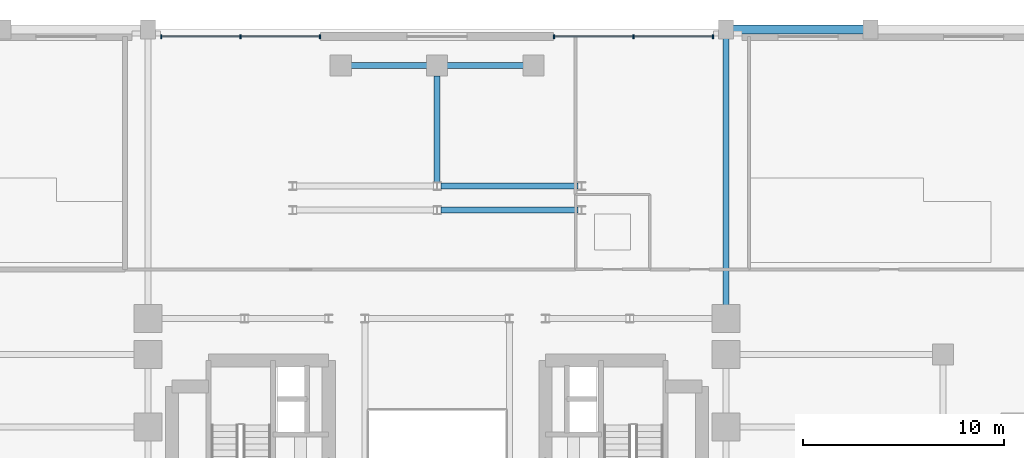
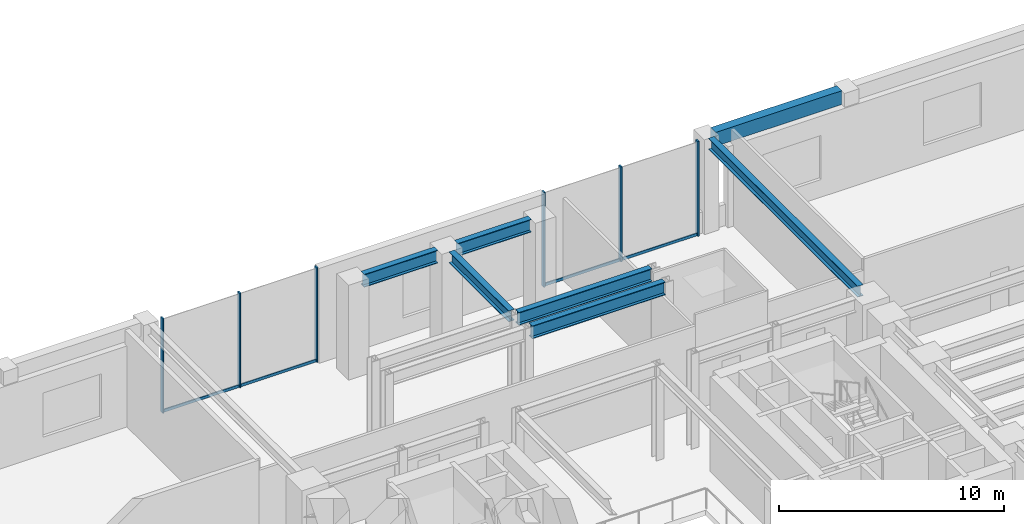
# One storey, part 8 of 16: 10 members, 7 beams, 2 elements without a shape of their own.
"""IFC4 building model written with IfcOpenShell, lengths in metres."""

import ifcopenshell
import ifcopenshell.guid

model = None  # the IFC model being written
_history = None  # IfcOwnerHistory: only IFC2X3 demands one
_inside = {}  # id of a spatial element -> (the spatial element, [elements in it])
_under = {}  # id of a project, library or spatial element -> (it, [spatial elements below it])
_declared = {}  # id of a project -> (the project, [libraries it declares])
_typed = {}  # id of a type object -> (the type object, [elements of that type])
_made_of = {}  # id of a material, layer set ... -> (it, [elements and type objects made of it])


def new_model(schema):
    """Start an empty IFC model of exactly this schema.

    Asked for "IFC4X3", IfcOpenShell would pick the latest addendum, in which some entities
    have other attributes; the version numbers below select the first issue.
    IFC2X3 requires an IfcOwnerHistory on every rooted entity: one is made here for all.
    """
    global model, _history
    if schema == "IFC4X3":
        model = ifcopenshell.file(schema_version=(4, 3, 0, 0))
    else:
        model = ifcopenshell.file(schema=schema)
    _inside.clear()
    _under.clear()
    _declared.clear()
    _typed.clear()
    _made_of.clear()
    _history = None
    if model.schema == "IFC2X3":
        org = make("IfcOrganization", Name="unknown")
        user = make(
            "IfcPersonAndOrganization",
            ThePerson=make("IfcPerson", FamilyName="unknown"),
            TheOrganization=org,
        )
        app = make(
            "IfcApplication",
            ApplicationDeveloper=org,
            Version="unknown",
            ApplicationFullName="unknown",
            ApplicationIdentifier="unknown",
        )
        _history = make(
            "IfcOwnerHistory",
            OwningUser=user,
            OwningApplication=app,
            ChangeAction="ADDED",
            CreationDate=0,
        )
    return model


def make(cls, **values):
    """One entity of the class cls with the attributes given. An attribute that is None is left unset."""
    return model.create_entity(
        cls, **{name: value for name, value in values.items() if value is not None}
    )


def rooted(cls, **values):
    """An entity with a GlobalId (a new one), such as an element, a storey or a relation."""
    return make(cls, GlobalId=ifcopenshell.guid.new(), OwnerHistory=_history, **values)


def si_unit(unit_type, name, prefix=None):
    """IfcSIUnit, for example si_unit("LENGTHUNIT", "METRE", prefix="MILLI")."""
    return make("IfcSIUnit", UnitType=unit_type, Prefix=prefix, Name=name)


def assignment(units):
    """IfcUnitAssignment: the units of a project."""
    return None if units is None else make("IfcUnitAssignment", Units=units)


def point(xyz):
    """IfcCartesianPoint."""
    return None if xyz is None else make("IfcCartesianPoint", Coordinates=xyz)


def direction(xyz):
    """IfcDirection."""
    return None if xyz is None else make("IfcDirection", DirectionRatios=xyz)


def frame(location, z_axis=None, x_axis=None):
    """IfcAxis2Placement3D, a coordinate frame: its origin and axes. An axis left out is left unset."""
    return make(
        "IfcAxis2Placement3D",
        Location=point(location),
        Axis=direction(z_axis),
        RefDirection=direction(x_axis),
    )


def frame_2d(location, x_axis=None):
    """IfcAxis2Placement2D, a coordinate frame in the plane: its origin and x axis."""
    return make(
        "IfcAxis2Placement2D", Location=point(location), RefDirection=direction(x_axis)
    )


def origin():
    """The frame at (0, 0, 0) with its axes left unset."""
    return frame((0.0, 0.0, 0.0))


def origin_2d():
    """The frame at (0, 0) in the plane with its x axis left unset."""
    return frame_2d((0.0, 0.0))


def place(relative_to, where):
    """IfcLocalPlacement: puts the frame where relative to a parent placement (None: the world)."""
    return make(
        "IfcLocalPlacement", PlacementRelTo=relative_to, RelativePlacement=where
    )


def context(
    kind, dimensions, precision=None, world=None, true_north=None, identifier=None
):
    """IfcGeometricRepresentationContext, for example the 3D "Model" context."""
    return make(
        "IfcGeometricRepresentationContext",
        ContextIdentifier=identifier,
        ContextType=kind,
        CoordinateSpaceDimension=dimensions,
        Precision=precision,
        WorldCoordinateSystem=world,
        TrueNorth=true_north,
    )


def subcontext(parent, identifier, kind, view, scale=None):
    """IfcGeometricRepresentationSubContext, for example "Body" below "Model"."""
    return make(
        "IfcGeometricRepresentationSubContext",
        ContextIdentifier=identifier,
        ContextType=kind,
        ParentContext=parent,
        TargetScale=scale,
        TargetView=view,
    )


def project(units=None, contexts=None):
    """IfcProject with its units and contexts."""
    return rooted(
        "IfcProject",
        Name="project",
        RepresentationContexts=contexts,
        UnitsInContext=assignment(units),
    )


def spatial(cls, under=None, at=None, **own):
    """A site, building, storey or space (cls), placed at a placement, below another one or the project."""
    s = rooted(cls, ObjectPlacement=at, **own)
    if under is not None:
        _under.setdefault(under.id(), (under, []))[1].append(s)
    return s


def profile(cls, at=None, kind="AREA", **sizes):
    """A parametric profile (cls). Its sizes go by their IFC names, for example OverallWidth=200.0."""
    return make(cls, ProfileType=kind, Position=at, **sizes)


def rectangle(**sizes):
    """IfcRectangleProfileDef."""
    return profile("IfcRectangleProfileDef", **sizes)


def i_section(**sizes):
    """IfcIShapeProfileDef."""
    return profile("IfcIShapeProfileDef", **sizes)


def extrude(swept, where, along, depth):
    """IfcExtrudedAreaSolid: the profile swept, set in the frame where, extruded along a direction by depth."""
    return make(
        "IfcExtrudedAreaSolid",
        SweptArea=swept,
        Position=where,
        ExtrudedDirection=direction(along),
        Depth=depth,
    )


def shape(context_of_items, identifier, shape_type, items):
    """IfcShapeRepresentation: the items that make up one representation, for example the "Body"."""
    return make(
        "IfcShapeRepresentation",
        ContextOfItems=context_of_items,
        RepresentationIdentifier=identifier,
        RepresentationType=shape_type,
        Items=items,
    )


def source(mapping_origin, context_of_items, identifier, shape_type, items):
    """IfcRepresentationMap: a shape defined once, which mapped items show again and again."""
    return make(
        "IfcRepresentationMap",
        MappingOrigin=mapping_origin,
        MappedRepresentation=shape(context_of_items, identifier, shape_type, items),
    )


def transform(
    local_origin,
    x_axis=None,
    y_axis=None,
    z_axis=None,
    scale=None,
    scale2=None,
    scale3=None,
    uniform=True,
):
    """IfcCartesianTransformationOperator3D, or its non-uniform kind. x_axis, y_axis, z_axis: its Axis1, 2, 3."""
    if uniform:
        return make(
            "IfcCartesianTransformationOperator3D",
            Axis1=direction(x_axis),
            Axis2=direction(y_axis),
            LocalOrigin=point(local_origin),
            Scale=scale,
            Axis3=direction(z_axis),
        )
    return make(
        "IfcCartesianTransformationOperator3DnonUniform",
        Axis1=direction(x_axis),
        Axis2=direction(y_axis),
        LocalOrigin=point(local_origin),
        Scale=scale,
        Axis3=direction(z_axis),
        Scale2=scale2,
        Scale3=scale3,
    )


def mapped(mapping_source, mapping_target):
    """IfcMappedItem: shows the shape of a source again, moved by a transform."""
    return make(
        "IfcMappedItem", MappingSource=mapping_source, MappingTarget=mapping_target
    )


def material(Name=None, Category=None):
    """IfcMaterial."""
    return make("IfcMaterial", Name=Name, Category=Category)


def material_profile(
    of_material, cross_section, Name=None, Category=None, Priority=None
):
    """IfcMaterialProfile: a cross section and its material."""
    return make(
        "IfcMaterialProfile",
        Name=Name,
        Material=of_material,
        Profile=cross_section,
        Priority=Priority,
        Category=Category,
    )


def profile_set(profiles, Name=None, composite=None):
    """IfcMaterialProfileSet."""
    return make(
        "IfcMaterialProfileSet",
        Name=Name,
        MaterialProfiles=profiles,
        CompositeProfile=composite,
    )


def made_of(thing, what):
    """Note that an element or type object is made of a material, layer set ...; save() writes the relation."""
    if what is not None:
        _made_of.setdefault(what.id(), (what, []))[1].append(thing)
    return thing


def type_object(cls, material=None, **own):
    """A type object (cls), such as IfcWallType, which elements share."""
    return made_of(rooted(cls, **own), material)


def element(
    cls,
    number,
    at=None,
    inside=None,
    cuts=None,
    type_object=None,
    material=None,
    context=None,
    identifier="Body",
    shape_type=None,
    held_by="IfcProductDefinitionShape",
    body=None,
    shapes=None,
    **own,
):
    """One element of the class cls, such as IfcWall. Its Tag is "e" and its number.

    at: its placement. inside: the storey or other place that contains it. cuts: it is an
    opening in that element (IfcRelVoidsElement). A single representation is given by context,
    identifier, shape_type and body (its items); several are given by shapes. held_by: the class
    of the entity that holds the representations. save() writes the other relations.
    """
    e = rooted(cls, Tag="e%d" % number, ObjectPlacement=at, **own)
    if body is not None:
        shapes = [shape(context, identifier, shape_type, body)]
    if shapes is not None:
        e.Representation = make(held_by, Representations=shapes)
    if inside is not None:
        _inside.setdefault(inside.id(), (inside, []))[1].append(e)
    if cuts is not None:
        rooted(
            "IfcRelVoidsElement", RelatingBuildingElement=cuts, RelatedOpeningElement=e
        )
    if type_object is not None:
        _typed.setdefault(type_object.id(), (type_object, []))[1].append(e)
    return made_of(e, material)


def aggregate(whole, parts):
    """IfcRelAggregates: a whole, such as a stair, and the parts it consists of."""
    return rooted("IfcRelAggregates", RelatingObject=whole, RelatedObjects=parts)


def save(model, path):
    """Write the relations noted so far, then the file.

    IfcRelAggregates (storeys below a building ...), IfcRelContainedInSpatialStructure (elements
    in a storey), IfcRelDefinesByType, IfcRelAssociatesMaterial and IfcRelDeclares: one each for
    every whole, place, type object, material and project.
    """
    for whole, parts in _under.values():
        aggregate(whole, parts)
    for where, things in _inside.values():
        rooted(
            "IfcRelContainedInSpatialStructure",
            RelatedElements=things,
            RelatingStructure=where,
        )
    for kind, things in _typed.values():
        rooted("IfcRelDefinesByType", RelatedObjects=things, RelatingType=kind)
    for what, things in _made_of.values():
        rooted("IfcRelAssociatesMaterial", RelatedObjects=things, RelatingMaterial=what)
    for by, libraries in _declared.values():
        rooted("IfcRelDeclares", RelatingContext=by, RelatedDefinitions=libraries)
    model.write(path)


model = new_model("IFC4")

# Units and contexts
model_context = context("Model", 3, precision=1e-05, world=origin(), true_north=direction((0.0, 1.0)))
body_context = subcontext(model_context, "Body", "Model", "MODEL_VIEW")
ifc_project = project(units=[si_unit("LENGTHUNIT", "METRE"), si_unit("AREAUNIT", "SQUARE_METRE"), si_unit("VOLUMEUNIT", "CUBIC_METRE"), si_unit("PLANEANGLEUNIT", "RADIAN"), si_unit("MASSUNIT", "GRAM", prefix="KILO")], contexts=[model_context])

# Site, building, storey
site_placement = place(None, origin())
site = spatial("IfcSite", under=ifc_project, at=site_placement, CompositionType="ELEMENT")
building_placement = place(site_placement, origin())
building = spatial("IfcBuilding", under=site, at=building_placement, Name="Keilestroom Media Tower", CompositionType="ELEMENT")
storey_placement = place(building_placement, frame((0.0, 0.0, 10.199951171875)))
storey = spatial("IfcBuildingStorey", under=building, at=storey_placement, Name="L02", CompositionType="ELEMENT", Elevation=10.199951171875)

# Beams
ifc_material_1 = material(Name="Precast concrete C40/50", Category="concrete")
ifc_material_profile_1 = material_profile(ifc_material_1, rectangle(XDim=0.449951171875, YDim=0.75, at=origin_2d()), Name="PC 450x750")
ifc_profile_set_1 = profile_set([ifc_material_profile_1], Name="Precast concrete C40/50")
beam_type_1 = type_object("IfcBeamType", Name="Perimeter-Spandrel-Beam-PC-450x750", PredefinedType="SPANDREL", material=ifc_profile_set_1)
shared_shape_1 = source(origin(), body_context, "Body", "SweptSolid", [
    extrude(rectangle(XDim=0.449951171875, YDim=0.75, at=origin_2d()), origin(), (0.0, 0.0, 1.0), 6.490234375),
])
beam_1_placement = place(storey_placement, frame((14.7548828125, 23.39990234375, 4.775146484375), z_axis=(1.0, 0.0, 0.0), x_axis=(0.0, 1.0, 0.0)))
element("IfcBeam", 1, at=beam_1_placement, inside=storey, type_object=beam_type_1, Name="L02 Beam SPB-1 BM-L02-EW-043", PredefinedType="SPANDREL", context=body_context, shape_type="MappedRepresentation", body=[
    mapped(shared_shape_1, transform((0.0, 0.0, 0.0), x_axis=(1.0, 0.0, 0.0), y_axis=(0.0, 1.0, 0.0), z_axis=(0.0, 0.0, 1.0), scale=1.0)),
])
ifc_material_2 = material(Name="Steel S355", Category="steel")
ifc_material_profile_2 = material_profile(ifc_material_2, i_section(OverallWidth=0.300048828125, OverallDepth=0.60009765625, WebThickness=0.013427734375, FlangeThickness=0.030029296875, at=origin_2d()), Name="HEB 600")
ifc_profile_set_2 = profile_set([ifc_material_profile_2], Name="Steel S355")
beam_type_2 = type_object("IfcBeamType", Name="Primary-Structural-Girder-HEB-600", PredefinedType="BEAM", material=ifc_profile_set_2)
shared_shape_2 = source(origin(), body_context, "Body", "SweptSolid", [
    extrude(i_section(OverallWidth=0.300048828125, OverallDepth=0.60009765625, WebThickness=0.013427734375, FlangeThickness=0.030029296875, at=origin_2d()), origin(), (0.0, 0.0, 1.0), 13.26513671875),
])
beam_2_placement = place(storey_placement, frame((14.39990234375, 9.679931640625, 4.85009765625), z_axis=(0.0, 1.0, 0.0), x_axis=(-1.0, 0.0, 0.0)))
element("IfcBeam", 2, at=beam_2_placement, inside=storey, type_object=beam_type_2, Name="L02 Beam BG-4 BM-L02-NS-081", PredefinedType="BEAM", context=body_context, shape_type="MappedRepresentation", body=[
    mapped(shared_shape_2, transform((0.0, 0.0, 0.0), x_axis=(1.0, 0.0, 0.0), y_axis=(0.0, 1.0, 0.0), z_axis=(0.0, 0.0, 1.0), scale=1.0)),
])
shared_shape_3 = source(origin(), body_context, "Body", "SweptSolid", [
    extrude(i_section(OverallWidth=0.300048828125, OverallDepth=0.60009765625, WebThickness=0.013427734375, FlangeThickness=0.030029296875, at=origin_2d()), origin(), (0.0, 0.0, 1.0), 5.306884765625),
])
beam_3_placement = place(storey_placement, frame((0.0, 15.7880859375, 4.85009765625), z_axis=(0.0, 1.0, 0.0), x_axis=(-1.0, 0.0, 0.0)))
element("IfcBeam", 3, at=beam_3_placement, inside=storey, type_object=beam_type_2, Name="L02 Beam BG-4 BM-L02-NS-069", PredefinedType="BEAM", context=body_context, shape_type="MappedRepresentation", body=[
    mapped(shared_shape_3, transform((0.0, 0.0, 0.0), x_axis=(1.0, 0.0, 0.0), y_axis=(0.0, 1.0, 0.0), z_axis=(0.0, 0.0, 1.0), scale=1.0)),
])
ifc_material_3 = material(Name="Steel S460", Category="steel")
ifc_material_profile_3 = material_profile(ifc_material_3, i_section(OverallWidth=0.300048828125, OverallDepth=0.699951171875, WebThickness=0.014404296875, FlangeThickness=0.031982421875, at=origin_2d()), Name="HEB 700")
ifc_profile_set_3 = profile_set([ifc_material_profile_3], Name="Steel S460")
beam_type_3 = type_object("IfcBeamType", Name="Primary-Structural-Girder-HEB-700", PredefinedType="BEAM", material=ifc_profile_set_3)
shared_shape_4 = source(origin(), body_context, "Body", "SweptSolid", [
    extrude(i_section(OverallWidth=0.300048828125, OverallDepth=0.699951171875, WebThickness=0.014404296875, FlangeThickness=0.031982421875, at=origin_2d()), origin(), (0.0, 0.0, 1.0), 6.833984375),
])
for number, where, z_axis, x_axis, name in (
    (4, (0.18310546875, 14.39990234375, 4.800048828125), (1.0, 0.0, 0.0), (0.0, 1.0, 0.0), "L02 Beam BG-2 BM-L02-EW-036"),
    (5, (0.18310546875, 15.60009765625, 4.800048828125), (1.0, 0.0, 0.0), (0.0, 1.0, 0.0), "L02 Beam BG-2 BM-L02-EW-038"),
):
    element("IfcBeam", number, at=place(storey_placement, frame(where, z_axis=z_axis, x_axis=x_axis)), inside=storey, type_object=beam_type_3, Name=name, PredefinedType="BEAM", context=body_context, shape_type="MappedRepresentation", body=[
        mapped(shared_shape_4, transform((0.0, 0.0, 0.0), x_axis=(1.0, 0.0, 0.0), y_axis=(0.0, 1.0, 0.0), z_axis=(0.0, 0.0, 1.0), scale=1.0)),
    ])
shared_shape_5 = source(origin(), body_context, "Body", "SweptSolid", [
    extrude(i_section(OverallWidth=0.300048828125, OverallDepth=0.699951171875, WebThickness=0.014404296875, FlangeThickness=0.031982421875, at=origin_2d()), origin(), (0.0, 0.0, 1.0), 3.7900390625),
])
for number, where, z_axis, x_axis, name in (
    (6, (-4.294921875, 21.60009765625, 4.800048828125), (1.0, 0.0, 0.0), (0.0, 1.0, 0.0), "L02 Beam BG-2 BM-L02-EW-039"),
    (7, (0.5048828125, 21.60009765625, 4.800048828125), (1.0, 0.0, 0.0), (0.0, 1.0, 0.0), "L02 Beam BG-2 BM-L02-EW-040"),
):
    element("IfcBeam", number, at=place(storey_placement, frame(where, z_axis=z_axis, x_axis=x_axis)), inside=storey, type_object=beam_type_3, Name=name, PredefinedType="BEAM", context=body_context, shape_type="MappedRepresentation", body=[
        mapped(shared_shape_5, transform((0.0, 0.0, 0.0), x_axis=(1.0, 0.0, 0.0), y_axis=(0.0, 1.0, 0.0), z_axis=(0.0, 0.0, 1.0), scale=1.0)),
    ])

# Curtain wall, members
ifc_material_4 = material(Name="Anodised Aluminium Alloy", Category="aluminium")
curtain_wall_type = type_object("IfcCurtainWallType", Name="Unitised-Curtain-Wall-CW-5", PredefinedType="NOTDEFINED", material=ifc_material_4)
curtain_wall_1_placement = place(storey_placement, origin())
curtain_wall_1 = element("IfcCurtainWall", 8, at=curtain_wall_1_placement, inside=storey, type_object=curtain_wall_type, Name="L02 Curtain Wall CW-5 CW-L02-N-ATW", PredefinedType="NOTDEFINED")
ifc_material_profile_4 = material_profile(ifc_material_4, rectangle(XDim=0.070068359375, YDim=0.199951171875, at=origin_2d()), Name="ALU MULLION 70x200")
ifc_profile_set_4 = profile_set([ifc_material_profile_4], Name="Anodised Aluminium Alloy")
member_type_1 = type_object("IfcMemberType", Name="Curtain-Wall-Mullion-CW-5", PredefinedType="MULLION", material=ifc_profile_set_4)
shared_shape_6 = source(origin(), body_context, "Body", "SweptSolid", [
    extrude(rectangle(XDim=0.070068359375, YDim=0.199951171875, at=origin_2d()), origin(), (0.0, 0.0, 1.0), 5.150146484375),
])
member_1_placement = place(storey_placement, frame((-13.7451171875, 23.050048828125, 0.0), z_axis=(0.0, 0.0, 1.0), x_axis=(1.0, 0.0, 0.0)))
member_1 = element("IfcMember", 9, at=member_1_placement, type_object=member_type_1, Name="CW-5 Mullion 00", PredefinedType="MULLION", context=body_context, shape_type="MappedRepresentation", body=[
    mapped(shared_shape_6, transform((0.0, 0.0, 0.0), x_axis=(1.0, 0.0, 0.0), y_axis=(0.0, 1.0, 0.0), z_axis=(0.0, 0.0, 1.0), scale=1.0)),
])
member_2_placement = place(storey_placement, frame((-9.7900390625, 23.050048828125, 0.0), z_axis=(0.0, 0.0, 1.0), x_axis=(1.0, 0.0, 0.0)))
member_2 = element("IfcMember", 10, at=member_2_placement, type_object=member_type_1, Name="CW-5 Mullion 01", PredefinedType="MULLION", context=body_context, shape_type="MappedRepresentation", body=[
    mapped(shared_shape_6, transform((0.0, 0.0, 0.0), x_axis=(1.0, 0.0, 0.0), y_axis=(0.0, 1.0, 0.0), z_axis=(0.0, 0.0, 1.0), scale=1.0)),
])
member_3_placement = place(storey_placement, frame((-5.8349609375, 23.050048828125, 0.0), z_axis=(0.0, 0.0, 1.0), x_axis=(1.0, 0.0, 0.0)))
member_3 = element("IfcMember", 11, at=member_3_placement, type_object=member_type_1, Name="CW-5 Mullion 02", PredefinedType="MULLION", context=body_context, shape_type="MappedRepresentation", body=[
    mapped(shared_shape_6, transform((0.0, 0.0, 0.0), x_axis=(1.0, 0.0, 0.0), y_axis=(0.0, 1.0, 0.0), z_axis=(0.0, 0.0, 1.0), scale=1.0)),
])

curtain_wall_2_placement = place(storey_placement, origin())
curtain_wall_2 = element("IfcCurtainWall", 12, at=curtain_wall_2_placement, inside=storey, type_object=curtain_wall_type, Name="L02 Curtain Wall CW-5 CW-L02-N-ATE", PredefinedType="NOTDEFINED")
member_4_placement = place(storey_placement, frame((5.8349609375, 23.050048828125, 0.0), z_axis=(0.0, 0.0, 1.0), x_axis=(1.0, 0.0, 0.0)))
member_4 = element("IfcMember", 13, at=member_4_placement, type_object=member_type_1, Name="CW-5 Mullion 00", PredefinedType="MULLION", context=body_context, shape_type="MappedRepresentation", body=[
    mapped(shared_shape_6, transform((0.0, 0.0, 0.0), x_axis=(1.0, 0.0, 0.0), y_axis=(0.0, 1.0, 0.0), z_axis=(0.0, 0.0, 1.0), scale=1.0)),
])
member_5_placement = place(storey_placement, frame((9.7900390625, 23.050048828125, 0.0), z_axis=(0.0, 0.0, 1.0), x_axis=(1.0, 0.0, 0.0)))
member_5 = element("IfcMember", 14, at=member_5_placement, type_object=member_type_1, Name="CW-5 Mullion 01", PredefinedType="MULLION", context=body_context, shape_type="MappedRepresentation", body=[
    mapped(shared_shape_6, transform((0.0, 0.0, 0.0), x_axis=(1.0, 0.0, 0.0), y_axis=(0.0, 1.0, 0.0), z_axis=(0.0, 0.0, 1.0), scale=1.0)),
])
member_6_placement = place(storey_placement, frame((13.7451171875, 23.050048828125, 0.0), z_axis=(0.0, 0.0, 1.0), x_axis=(1.0, 0.0, 0.0)))
member_6 = element("IfcMember", 15, at=member_6_placement, type_object=member_type_1, Name="CW-5 Mullion 02", PredefinedType="MULLION", context=body_context, shape_type="MappedRepresentation", body=[
    mapped(shared_shape_6, transform((0.0, 0.0, 0.0), x_axis=(1.0, 0.0, 0.0), y_axis=(0.0, 1.0, 0.0), z_axis=(0.0, 0.0, 1.0), scale=1.0)),
])

# Member
ifc_material_profile_5 = material_profile(ifc_material_4, rectangle(XDim=0.06494140625, YDim=0.14990234375, at=origin_2d()), Name="ALU TRANSOM 65x150")
ifc_profile_set_5 = profile_set([ifc_material_profile_5], Name="Anodised Aluminium Alloy")
member_type_2 = type_object("IfcMemberType", Name="Curtain-Wall-Transom-CW-5", PredefinedType="USERDEFINED", material=ifc_profile_set_5)
shared_shape_7 = source(origin(), body_context, "Body", "SweptSolid", [
    extrude(rectangle(XDim=0.06494140625, YDim=0.14990234375, at=origin_2d()), origin(), (0.0, 0.0, 1.0), 3.888916015625),
])
member_7_placement = place(storey_placement, frame((-13.7119140625, 23.050048828125, 0.074951171875), z_axis=(1.0, 0.0, 0.0), x_axis=(0.0, 1.0, 0.0)))
member_7 = element("IfcMember", 16, at=member_7_placement, type_object=member_type_2, Name="CW-5 Transom 00.1", ObjectType="TRANSOM", PredefinedType="USERDEFINED", context=body_context, shape_type="MappedRepresentation", body=[
    mapped(shared_shape_7, transform((0.0, 0.0, 0.0), x_axis=(1.0, 0.0, 0.0), y_axis=(0.0, 1.0, 0.0), z_axis=(0.0, 0.0, 1.0), scale=1.0)),
])

member_8_placement = place(storey_placement, frame((9.822998046875, 23.050048828125, 0.074951171875), z_axis=(1.0, 0.0, 0.0), x_axis=(0.0, 1.0, 0.0)))
member_8 = element("IfcMember", 17, at=member_8_placement, type_object=member_type_2, Name="CW-5 Transom 01.1", ObjectType="TRANSOM", PredefinedType="USERDEFINED", context=body_context, shape_type="MappedRepresentation", body=[
    mapped(shared_shape_7, transform((0.0, 0.0, 0.0), x_axis=(1.0, 0.0, 0.0), y_axis=(0.0, 1.0, 0.0), z_axis=(0.0, 0.0, 1.0), scale=1.0)),
])

shared_shape_8 = source(origin(), body_context, "Body", "SweptSolid", [
    extrude(rectangle(XDim=0.06494140625, YDim=0.14990234375, at=origin_2d()), origin(), (0.0, 0.0, 1.0), 3.88916015625),
])
member_9_placement = place(storey_placement, frame((-9.757080078125, 23.050048828125, 0.074951171875), z_axis=(1.0, 0.0, 0.0), x_axis=(0.0, 1.0, 0.0)))
member_9 = element("IfcMember", 18, at=member_9_placement, type_object=member_type_2, Name="CW-5 Transom 01.1", ObjectType="TRANSOM", PredefinedType="USERDEFINED", context=body_context, shape_type="MappedRepresentation", body=[
    mapped(shared_shape_8, transform((0.0, 0.0, 0.0), x_axis=(1.0, 0.0, 0.0), y_axis=(0.0, 1.0, 0.0), z_axis=(0.0, 0.0, 1.0), scale=1.0)),
])

aggregate(curtain_wall_1, [member_1, member_2, member_3, member_7, member_9])

member_10_placement = place(storey_placement, frame((5.867919921875, 23.050048828125, 0.074951171875), z_axis=(1.0, 0.0, 0.0), x_axis=(0.0, 1.0, 0.0)))
member_10 = element("IfcMember", 19, at=member_10_placement, type_object=member_type_2, Name="CW-5 Transom 00.1", ObjectType="TRANSOM", PredefinedType="USERDEFINED", context=body_context, shape_type="MappedRepresentation", body=[
    mapped(shared_shape_8, transform((0.0, 0.0, 0.0), x_axis=(1.0, 0.0, 0.0), y_axis=(0.0, 1.0, 0.0), z_axis=(0.0, 0.0, 1.0), scale=1.0)),
])

aggregate(curtain_wall_2, [member_4, member_5, member_6, member_10, member_8])

save(model, "model.ifc")
